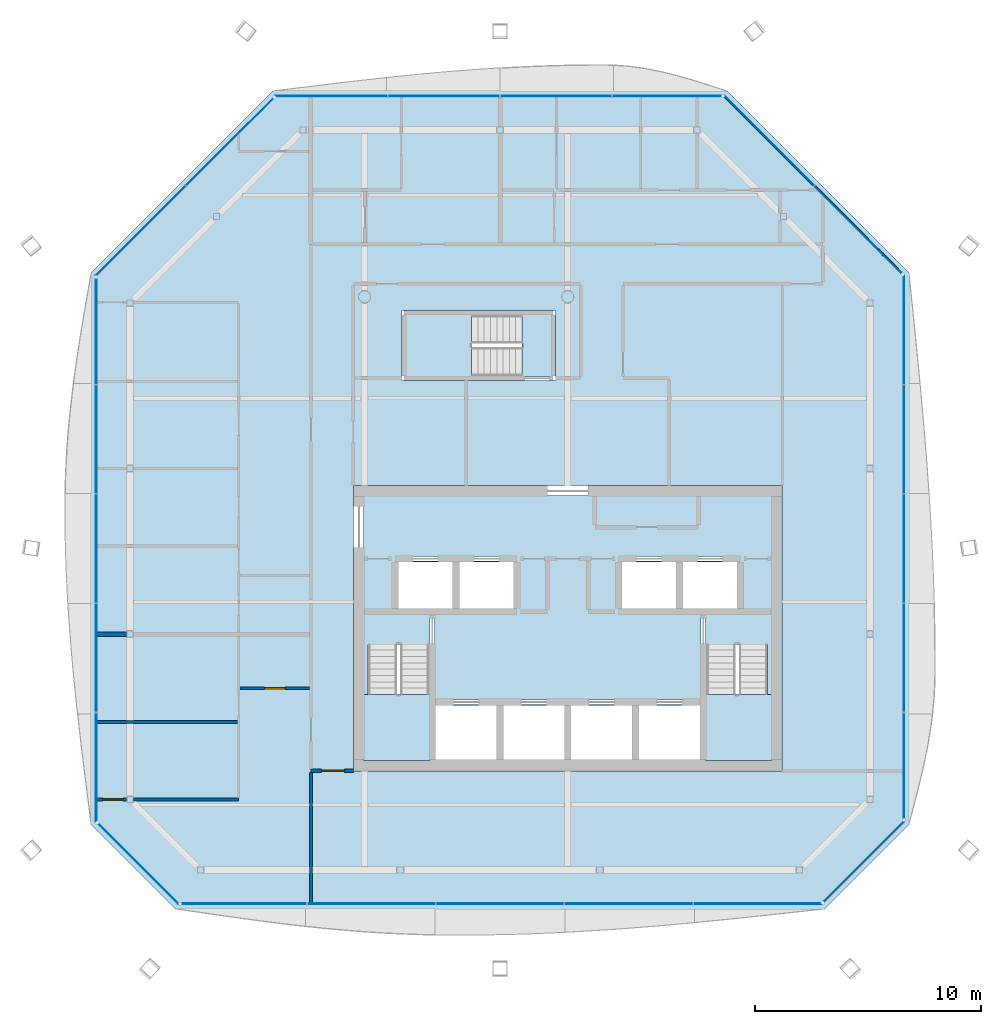
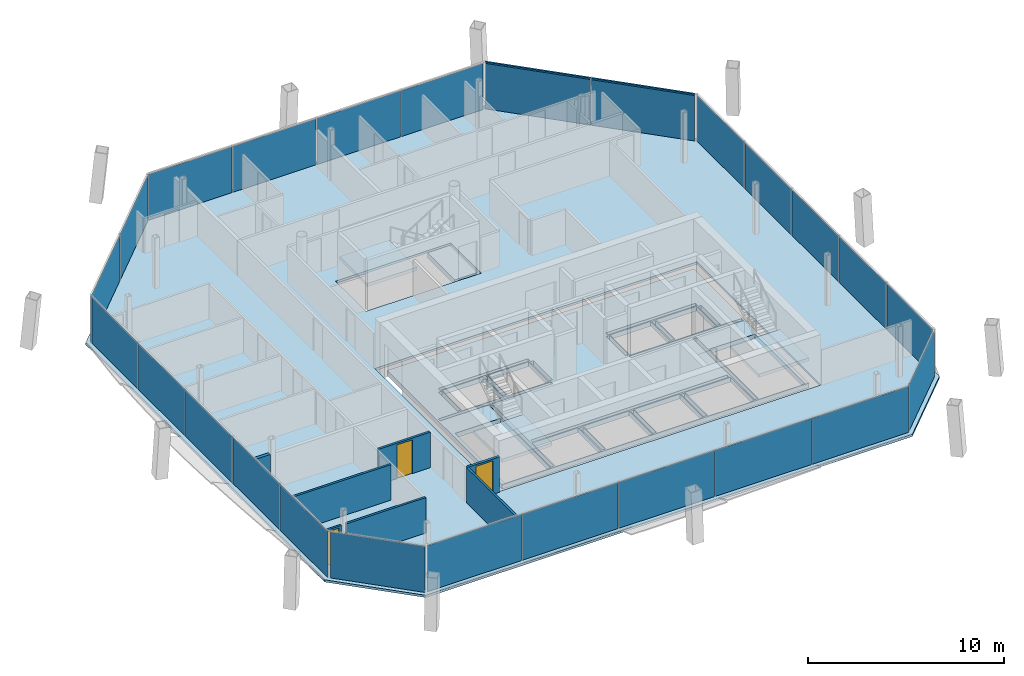
# One storey, part 9 of 15: 25 plates, 7 walls, 6 slabs, 3 doors, 2 members, 3 openings, 11 elements without a shape of their own.
"""IFC4 building model written with IfcOpenShell, lengths in metres."""

from ifc_helpers import new_model, si_unit, direction, frame, frame_2d, origin, origin_2d, place, context, subcontext, project, spatial, polyline, rectangle, outline, extrude, material, layer, layer_set, material_profile, profile_set, type_object, element, fill, aggregate, save


model = new_model("IFC4")

# Units and contexts
model_context = context("Model", 3, precision=1e-05, world=origin(), true_north=direction((0.0, 1.0)))
body_context = subcontext(model_context, "Body", "Model", "MODEL_VIEW")
ifc_project = project(units=[si_unit("LENGTHUNIT", "METRE"), si_unit("AREAUNIT", "SQUARE_METRE"), si_unit("VOLUMEUNIT", "CUBIC_METRE"), si_unit("PLANEANGLEUNIT", "RADIAN"), si_unit("MASSUNIT", "GRAM", prefix="KILO")], contexts=[model_context])

# Site, building, storey
site_placement = place(None, origin())
site = spatial("IfcSite", under=ifc_project, at=site_placement, CompositionType="ELEMENT")
building_placement = place(site_placement, origin())
building = spatial("IfcBuilding", under=site, at=building_placement, Name="Tskaro Facet Tower", CompositionType="ELEMENT")
storey_placement = place(building_placement, frame((0.0, 0.0, 239.25)))
storey = spatial("IfcBuildingStorey", under=building, at=storey_placement, Name="L62", CompositionType="ELEMENT", Elevation=239.25)

# Curtain wall, members
ifc_material_1 = material(Name="Bronze anodised aluminium 6063-T6", Category="aluminium")
curtain_wall_type = type_object("IfcCurtainWallType", Name="Bronze residence curtain wall (FW3)", PredefinedType="NOTDEFINED", material=ifc_material_1)
curtain_wall_1_placement = place(storey_placement, origin())
curtain_wall_1 = element("IfcCurtainWall", 1, at=curtain_wall_1_placement, inside=storey, type_object=curtain_wall_type, Name="FW3 north-east facet L62", PredefinedType="NOTDEFINED")
ifc_material_profile = material_profile(ifc_material_1, rectangle(XDim=0.10009765625, YDim=0.090087890625, at=origin_2d()), Name="Transom 100x90")
ifc_profile_set = profile_set([ifc_material_profile], Name="Bronze anodised aluminium 6063-T6")
member_type = type_object("IfcMemberType", Name="FW3 bronze transom 100x90", PredefinedType="USERDEFINED", material=ifc_profile_set)
member_1_placement = place(storey_placement, frame((14.7900390625, 10.046875, 2.905029296875), z_axis=(-0.70708438348, 0.707129178183, 0.0), x_axis=(-0.707129178183, -0.70708438348, 0.0)))
member_1 = element("IfcMember", 2, at=member_1_placement, type_object=member_type, Name="FW3 north-east transom 1.1", ObjectType="TRANSOM", PredefinedType="USERDEFINED", context=body_context, shape_type="SweptSolid", body=[
    extrude(rectangle(XDim=0.10009765625, YDim=0.090087890625, at=origin_2d()), origin(), (0.0, 0.0, 1.0), 5.4501953125),
])
member_2_placement = place(storey_placement, frame((10.90087890625, 13.936279296875, 2.905029296875), z_axis=(-0.707128617938, 0.70708494376, 0.0), x_axis=(-0.70708494376, -0.707128617938, 0.0)))
member_2 = element("IfcMember", 3, at=member_2_placement, type_object=member_type, Name="FW3 north-east transom 2.1", ObjectType="TRANSOM", PredefinedType="USERDEFINED", context=body_context, shape_type="SweptSolid", body=[
    extrude(rectangle(XDim=0.10009765625, YDim=0.090087890625, at=origin_2d()), origin(), (0.0, 0.0, 1.0), 5.590087890625),
])

# Slab
ifc_material_2 = material(Name="Concrete C30/37", Category="concrete")
ifc_layer_1 = layer(ifc_material_2, 0.139892578125, Name="Concrete C30/37")
ifc_layer_set_1 = layer_set([ifc_layer_1], Name="Concrete C30/37")
slab_type_1 = type_object("IfcSlabType", Name="Composite deck floor slab", PredefinedType="FLOOR", material=ifc_layer_set_1)
slab_1_placement = place(storey_placement, frame((0.0, 0.0, -0.139892578125)))
element("IfcSlab", 4, at=slab_1_placement, inside=storey, type_object=slab_type_1, Name="Floor slab FS3 L62", PredefinedType="FLOOR", context=body_context, shape_type="SweptSolid", body=[
    extrude(outline(polyline([(-17.35693359375, -18.138916015625), (11.35693359375, -18.138916015625), (15.138916015625, -14.35693359375), (15.138916015625, 10.052001953125), (7.052001953125, 18.138916015625), (-13.052001953125, 18.138916015625), (-21.138916015625, 10.052001953125), (-21.138916015625, -14.35693359375), (-17.35693359375, -18.138916015625)]), holes=[polyline([(-9.5, -12.0), (9.5, -12.0), (9.5, 0.64990234375), (-9.5, 0.64990234375), (-9.5, -12.0)]), polyline([(-7.35009765625, 5.300048828125), (-0.550048828125, 5.300048828125), (-0.550048828125, 8.39990234375), (-7.35009765625, 8.39990234375), (-7.35009765625, 5.300048828125)])]), origin(), (0.0, 0.0, 1.0), 0.139892578125),
])

# Curtain wall, plates
curtain_wall_2_placement = place(storey_placement, origin())
curtain_wall_2 = element("IfcCurtainWall", 5, at=curtain_wall_2_placement, inside=storey, type_object=curtain_wall_type, Name="FW3 south facet L62", PredefinedType="NOTDEFINED")
ifc_material_3 = material(Name="Bronze low-iron glass", Category="glass")
ifc_layer_2 = layer(ifc_material_3, 0.028076171875, Name="Bronze low-iron glass")
ifc_layer_set_2 = layer_set([ifc_layer_2], Name="Bronze low-iron glass")
plate_type = type_object("IfcPlateType", Name="FW3 bronze-tinted unit glazing 28", PredefinedType="CURTAIN_PANEL", material=ifc_layer_set_2)
plate_1_placement = place(storey_placement, frame((-14.344970703125, -17.888916015625, 0.0), z_axis=(0.0, 0.0, 1.0), x_axis=(1.0, 0.0, 0.0)))
plate_1 = element("IfcPlate", 6, at=plate_1_placement, type_object=plate_type, Name="FW3 south glazing 1.1", PredefinedType="CURTAIN_PANEL", context=body_context, shape_type="SweptSolid", body=[
    extrude(rectangle(XDim=5.5361328125, YDim=0.028076171875, at=origin_2d()), origin(), (0.0, 0.0, 1.0), 2.860107421875),
])
plate_2_placement = place(storey_placement, frame((-8.701171875, -17.888916015625, 0.0), z_axis=(0.0, 0.0, 1.0), x_axis=(1.0, 0.0, 0.0)))
plate_2 = element("IfcPlate", 7, at=plate_2_placement, type_object=plate_type, Name="FW3 south glazing 2.1", PredefinedType="CURTAIN_PANEL", context=body_context, shape_type="SweptSolid", body=[
    extrude(rectangle(XDim=5.651123046875, YDim=0.028076171875, at=origin_2d()), origin(), (0.0, 0.0, 1.0), 2.860107421875),
])
plate_3_placement = place(storey_placement, frame((-3.0, -17.888916015625, 0.0), z_axis=(0.0, 0.0, 1.0), x_axis=(1.0, 0.0, 0.0)))
plate_3 = element("IfcPlate", 8, at=plate_3_placement, type_object=plate_type, Name="FW3 south glazing 3.1", PredefinedType="CURTAIN_PANEL", context=body_context, shape_type="SweptSolid", body=[
    extrude(rectangle(XDim=5.651123046875, YDim=0.028076171875, at=origin_2d()), origin(), (0.0, 0.0, 1.0), 2.860107421875),
])
plate_4_placement = place(storey_placement, frame((2.701171875, -17.888916015625, 0.0), z_axis=(0.0, 0.0, 1.0), x_axis=(1.0, 0.0, 0.0)))
plate_4 = element("IfcPlate", 9, at=plate_4_placement, type_object=plate_type, Name="FW3 south glazing 4.1", PredefinedType="CURTAIN_PANEL", context=body_context, shape_type="SweptSolid", body=[
    extrude(rectangle(XDim=5.651123046875, YDim=0.028076171875, at=origin_2d()), origin(), (0.0, 0.0, 1.0), 2.860107421875),
])
plate_5_placement = place(storey_placement, frame((8.414794921875, -17.888916015625, 0.0), z_axis=(0.0, 0.0, 1.0), x_axis=(1.0, 0.0, 0.0)))
plate_5 = element("IfcPlate", 10, at=plate_5_placement, type_object=plate_type, Name="FW3 south glazing 5.1", PredefinedType="CURTAIN_PANEL", context=body_context, shape_type="SweptSolid", body=[
    extrude(rectangle(XDim=5.67626953125, YDim=0.028076171875, at=origin_2d()), origin(), (0.0, 0.0, 1.0), 2.860107421875),
])
aggregate(curtain_wall_2, [plate_1, plate_2, plate_3, plate_4, plate_5])

# Curtain wall, plate
curtain_wall_3_placement = place(storey_placement, origin())
curtain_wall_3 = element("IfcCurtainWall", 11, at=curtain_wall_3_placement, inside=storey, type_object=curtain_wall_type, Name="FW3 south-east facet L62", PredefinedType="NOTDEFINED")
plate_6_placement = place(storey_placement, frame((13.12060546875, -16.021484375, 0.0), z_axis=(0.0, 0.0, 1.0), x_axis=(0.707106781187, 0.707106781187, 0.0)))
plate_6 = element("IfcPlate", 12, at=plate_6_placement, type_object=plate_type, Name="FW3 south-east glazing 1.1", PredefinedType="CURTAIN_PANEL", context=body_context, shape_type="SweptSolid", body=[
    extrude(rectangle(XDim=5.002197265625, YDim=0.028076171875, at=origin_2d()), origin(), (0.0, 0.0, 1.0), 2.860107421875),
])
aggregate(curtain_wall_3, [plate_6])

# Curtain wall, plates
curtain_wall_4_placement = place(storey_placement, origin())
curtain_wall_4 = element("IfcCurtainWall", 13, at=curtain_wall_4_placement, inside=storey, type_object=curtain_wall_type, Name="FW3 east facet L62", PredefinedType="NOTDEFINED")
plate_7_placement = place(storey_placement, frame((14.888916015625, -11.775390625, 0.0), z_axis=(0.0, 0.0, 1.0), x_axis=(0.0, 1.0, 0.0)))
plate_7 = element("IfcPlate", 14, at=plate_7_placement, type_object=plate_type, Name="FW3 east glazing 1.1", PredefinedType="CURTAIN_PANEL", context=body_context, shape_type="SweptSolid", body=[
    extrude(rectangle(XDim=4.67529296875, YDim=0.028076171875, at=origin_2d()), origin(), (0.0, 0.0, 1.0), 2.860107421875),
])
plate_8_placement = place(storey_placement, frame((14.888916015625, -6.99267578125, 0.0), z_axis=(0.0, 0.0, 1.0), x_axis=(0.0, 1.0, 0.0)))
plate_8 = element("IfcPlate", 15, at=plate_8_placement, type_object=plate_type, Name="FW3 east glazing 2.1", PredefinedType="CURTAIN_PANEL", context=body_context, shape_type="SweptSolid", body=[
    extrude(rectangle(XDim=4.790283203125, YDim=0.028076171875, at=origin_2d()), origin(), (0.0, 0.0, 1.0), 2.860107421875),
])
plate_9_placement = place(storey_placement, frame((14.888916015625, -2.152587890625, 0.0), z_axis=(0.0, 0.0, 1.0), x_axis=(0.0, 1.0, 0.0)))
plate_9 = element("IfcPlate", 16, at=plate_9_placement, type_object=plate_type, Name="FW3 east glazing 3.1", PredefinedType="CURTAIN_PANEL", context=body_context, shape_type="SweptSolid", body=[
    extrude(rectangle(XDim=4.790283203125, YDim=0.028076171875, at=origin_2d()), origin(), (0.0, 0.0, 1.0), 2.860107421875),
])
plate_10_placement = place(storey_placement, frame((14.888916015625, 2.687744140625, 0.0), z_axis=(0.0, 0.0, 1.0), x_axis=(0.0, 1.0, 0.0)))
plate_10 = element("IfcPlate", 17, at=plate_10_placement, type_object=plate_type, Name="FW3 east glazing 4.1", PredefinedType="CURTAIN_PANEL", context=body_context, shape_type="SweptSolid", body=[
    extrude(rectangle(XDim=4.790283203125, YDim=0.028076171875, at=origin_2d()), origin(), (0.0, 0.0, 1.0), 2.860107421875),
])
plate_11_placement = place(storey_placement, frame((14.888916015625, 7.540283203125, 0.0), z_axis=(0.0, 0.0, 1.0), x_axis=(0.0, 1.0, 0.0)))
plate_11 = element("IfcPlate", 18, at=plate_11_placement, type_object=plate_type, Name="FW3 east glazing 5.1", PredefinedType="CURTAIN_PANEL", context=body_context, shape_type="SweptSolid", body=[
    extrude(rectangle(XDim=4.815185546875, YDim=0.028076171875, at=origin_2d()), origin(), (0.0, 0.0, 1.0), 2.860107421875),
])
aggregate(curtain_wall_4, [plate_7, plate_8, plate_9, plate_10, plate_11])

# Plate
plate_12_placement = place(storey_placement, frame((12.863037109375, 11.973876953125, 0.0), z_axis=(0.0, 0.0, 1.0), x_axis=(-0.707106781187, 0.707106781187, 0.0)))
plate_12 = element("IfcPlate", 19, at=plate_12_placement, type_object=plate_type, Name="FW3 north-east glazing 1.1", PredefinedType="CURTAIN_PANEL", context=body_context, shape_type="SweptSolid", body=[
    extrude(rectangle(XDim=5.4501953125, YDim=0.028076171875, at=origin_2d()), origin(), (0.0, 0.0, 1.0), 2.860107421875),
])

plate_13_placement = place(storey_placement, frame((8.92431640625, 15.91259765625, 0.0), z_axis=(0.0, 0.0, 1.0), x_axis=(-0.707106781187, 0.707106781187, 0.0)))
plate_13 = element("IfcPlate", 20, at=plate_13_placement, type_object=plate_type, Name="FW3 north-east glazing 2.1", PredefinedType="CURTAIN_PANEL", context=body_context, shape_type="SweptSolid", body=[
    extrude(rectangle(XDim=5.590087890625, YDim=0.028076171875, at=origin_2d()), origin(), (0.0, 0.0, 1.0), 2.860107421875),
])

aggregate(curtain_wall_1, [member_1, plate_12, member_2, plate_13])

# Curtain wall, plates
curtain_wall_5_placement = place(storey_placement, origin())
curtain_wall_5 = element("IfcCurtainWall", 21, at=curtain_wall_5_placement, inside=storey, type_object=curtain_wall_type, Name="FW3 north facet L62", PredefinedType="NOTDEFINED")
plate_14_placement = place(storey_placement, frame((4.403564453125, 17.888916015625, 0.0), z_axis=(0.0, 0.0, 1.0), x_axis=(-1.0, 0.0, 0.0)))
plate_14 = element("IfcPlate", 22, at=plate_14_placement, type_object=plate_type, Name="FW3 north glazing 1.1", PredefinedType="CURTAIN_PANEL", context=body_context, shape_type="SweptSolid", body=[
    extrude(rectangle(XDim=4.80908203125, YDim=0.028076171875, at=origin_2d()), origin(), (0.0, 0.0, 1.0), 2.860107421875),
])
plate_15_placement = place(storey_placement, frame((-0.512939453125, 17.888916015625, 0.0), z_axis=(0.0, 0.0, 1.0), x_axis=(-1.0, 0.0, 0.0)))
plate_15 = element("IfcPlate", 23, at=plate_15_placement, type_object=plate_type, Name="FW3 north glazing 2.1", PredefinedType="CURTAIN_PANEL", context=body_context, shape_type="SweptSolid", body=[
    extrude(rectangle(XDim=4.924072265625, YDim=0.028076171875, at=origin_2d()), origin(), (0.0, 0.0, 1.0), 2.860107421875),
])
plate_16_placement = place(storey_placement, frame((-5.487060546875, 17.888916015625, 0.0), z_axis=(0.0, 0.0, 1.0), x_axis=(-1.0, 0.0, 0.0)))
plate_16 = element("IfcPlate", 24, at=plate_16_placement, type_object=plate_type, Name="FW3 north glazing 3.1", PredefinedType="CURTAIN_PANEL", context=body_context, shape_type="SweptSolid", body=[
    extrude(rectangle(XDim=4.924072265625, YDim=0.028076171875, at=origin_2d()), origin(), (0.0, 0.0, 1.0), 2.860107421875),
])
plate_17_placement = place(storey_placement, frame((-10.473388671875, 17.888916015625, 0.0), z_axis=(0.0, 0.0, 1.0), x_axis=(-1.0, 0.0, 0.0)))
plate_17 = element("IfcPlate", 25, at=plate_17_placement, type_object=plate_type, Name="FW3 north glazing 4.1", PredefinedType="CURTAIN_PANEL", context=body_context, shape_type="SweptSolid", body=[
    extrude(rectangle(XDim=4.948974609375, YDim=0.028076171875, at=origin_2d()), origin(), (0.0, 0.0, 1.0), 2.860107421875),
])
aggregate(curtain_wall_5, [plate_14, plate_15, plate_16, plate_17])

curtain_wall_6_placement = place(storey_placement, origin())
curtain_wall_6 = element("IfcCurtainWall", 26, at=curtain_wall_6_placement, inside=storey, type_object=curtain_wall_type, Name="FW3 north-west facet L62", PredefinedType="NOTDEFINED")
plate_18_placement = place(storey_placement, frame((-14.973876953125, 15.863037109375, 0.0), z_axis=(0.0, 0.0, 1.0), x_axis=(-0.707106781187, -0.707106781187, 0.0)))
plate_18 = element("IfcPlate", 27, at=plate_18_placement, type_object=plate_type, Name="FW3 north-west glazing 1.1", PredefinedType="CURTAIN_PANEL", context=body_context, shape_type="SweptSolid", body=[
    extrude(rectangle(XDim=5.4501953125, YDim=0.028076171875, at=origin_2d()), origin(), (0.0, 0.0, 1.0), 2.860107421875),
])
plate_19_placement = place(storey_placement, frame((-18.91259765625, 11.92431640625, 0.0), z_axis=(0.0, 0.0, 1.0), x_axis=(-0.707106781187, -0.707106781187, 0.0)))
plate_19 = element("IfcPlate", 28, at=plate_19_placement, type_object=plate_type, Name="FW3 north-west glazing 2.1", PredefinedType="CURTAIN_PANEL", context=body_context, shape_type="SweptSolid", body=[
    extrude(rectangle(XDim=5.590087890625, YDim=0.028076171875, at=origin_2d()), origin(), (0.0, 0.0, 1.0), 2.860107421875),
])
aggregate(curtain_wall_6, [plate_18, plate_19])

curtain_wall_7_placement = place(storey_placement, origin())
curtain_wall_7 = element("IfcCurtainWall", 29, at=curtain_wall_7_placement, inside=storey, type_object=curtain_wall_type, Name="FW3 west facet L62", PredefinedType="NOTDEFINED")
plate_20_placement = place(storey_placement, frame((-20.888916015625, 7.470458984375, 0.0), z_axis=(0.0, 0.0, 1.0), x_axis=(0.0, -1.0, 0.0)))
plate_20 = element("IfcPlate", 30, at=plate_20_placement, type_object=plate_type, Name="FW3 west glazing 1.1", PredefinedType="CURTAIN_PANEL", context=body_context, shape_type="SweptSolid", body=[
    extrude(rectangle(XDim=4.67529296875, YDim=0.028076171875, at=origin_2d()), origin(), (0.0, 0.0, 1.0), 2.860107421875),
])
plate_21_placement = place(storey_placement, frame((-20.888916015625, 2.687744140625, 0.0), z_axis=(0.0, 0.0, 1.0), x_axis=(0.0, -1.0, 0.0)))
plate_21 = element("IfcPlate", 31, at=plate_21_placement, type_object=plate_type, Name="FW3 west glazing 2.1", PredefinedType="CURTAIN_PANEL", context=body_context, shape_type="SweptSolid", body=[
    extrude(rectangle(XDim=4.790283203125, YDim=0.028076171875, at=origin_2d()), origin(), (0.0, 0.0, 1.0), 2.860107421875),
])
plate_22_placement = place(storey_placement, frame((-20.888916015625, -2.152587890625, 0.0), z_axis=(0.0, 0.0, 1.0), x_axis=(0.0, -1.0, 0.0)))
plate_22 = element("IfcPlate", 32, at=plate_22_placement, type_object=plate_type, Name="FW3 west glazing 3.1", PredefinedType="CURTAIN_PANEL", context=body_context, shape_type="SweptSolid", body=[
    extrude(rectangle(XDim=4.790283203125, YDim=0.028076171875, at=origin_2d()), origin(), (0.0, 0.0, 1.0), 2.860107421875),
])
plate_23_placement = place(storey_placement, frame((-20.888916015625, -6.99267578125, 0.0), z_axis=(0.0, 0.0, 1.0), x_axis=(0.0, -1.0, 0.0)))
plate_23 = element("IfcPlate", 33, at=plate_23_placement, type_object=plate_type, Name="FW3 west glazing 4.1", PredefinedType="CURTAIN_PANEL", context=body_context, shape_type="SweptSolid", body=[
    extrude(rectangle(XDim=4.790283203125, YDim=0.028076171875, at=origin_2d()), origin(), (0.0, 0.0, 1.0), 2.860107421875),
])
plate_24_placement = place(storey_placement, frame((-20.888916015625, -11.845458984375, 0.0), z_axis=(0.0, 0.0, 1.0), x_axis=(0.0, -1.0, 0.0)))
plate_24 = element("IfcPlate", 34, at=plate_24_placement, type_object=plate_type, Name="FW3 west glazing 5.1", PredefinedType="CURTAIN_PANEL", context=body_context, shape_type="SweptSolid", body=[
    extrude(rectangle(XDim=4.815185546875, YDim=0.028076171875, at=origin_2d()), origin(), (0.0, 0.0, 1.0), 2.860107421875),
])
aggregate(curtain_wall_7, [plate_20, plate_21, plate_22, plate_23, plate_24])

# Curtain wall, plate
curtain_wall_8_placement = place(storey_placement, origin())
curtain_wall_8 = element("IfcCurtainWall", 35, at=curtain_wall_8_placement, inside=storey, type_object=curtain_wall_type, Name="FW3 south-west facet L62", PredefinedType="NOTDEFINED")
plate_25_placement = place(storey_placement, frame((-19.021484375, -16.12060546875, 0.0), z_axis=(0.0, 0.0, 1.0), x_axis=(0.707106781187, -0.707106781187, 0.0)))
plate_25 = element("IfcPlate", 36, at=plate_25_placement, type_object=plate_type, Name="FW3 south-west glazing 1.1", PredefinedType="CURTAIN_PANEL", context=body_context, shape_type="SweptSolid", body=[
    extrude(rectangle(XDim=5.002197265625, YDim=0.028076171875, at=origin_2d()), origin(), (0.0, 0.0, 1.0), 2.860107421875),
])
aggregate(curtain_wall_8, [plate_25])

# Stair, slab
ifc_material_4 = material(Name="Concrete C40/50", Category="concrete")
stair_type = type_object("IfcStairType", Name="ST-TWR", PredefinedType="HALF_TURN_STAIR", material=ifc_material_4)
stair_1_placement = place(storey_placement, origin())
stair_1 = element("IfcStair", 37, at=stair_1_placement, inside=storey, type_object=stair_type, Name="L62 Exit stair 1", PredefinedType="HALF_TURN_STAIR")
ifc_layer_3 = layer(ifc_material_4, 0.199951171875, Name="Concrete C40/50")
ifc_layer_set_3 = layer_set([ifc_layer_3], Name="Concrete C40/50")
slab_type_2 = type_object("IfcSlabType", Name="SL-LANDING", PredefinedType="LANDING", material=ifc_layer_set_3)
slab_2_placement = place(storey_placement, frame((0.0, 0.0, 1.375)))
slab_2 = element("IfcSlab", 38, at=slab_2_placement, type_object=slab_type_2, Name="ST-1 landing 1", PredefinedType="LANDING", context=body_context, shape_type="SweptSolid", body=[
    extrude(outline(polyline([(-9.050048828125, -11.550048828125), (-6.10009765625, -11.550048828125), (-6.10009765625, -8.614990234375), (-9.050048828125, -8.614990234375), (-9.050048828125, -11.550048828125)])), origin(), (0.0, 0.0, 1.0), 0.199951171875),
])
aggregate(stair_1, [slab_2])

stair_2_placement = place(storey_placement, origin())
stair_2 = element("IfcStair", 39, at=stair_2_placement, inside=storey, type_object=stair_type, Name="L62 Exit stair 2", PredefinedType="HALF_TURN_STAIR")
slab_3_placement = place(storey_placement, frame((0.0, 0.0, 1.375)))
slab_3 = element("IfcSlab", 40, at=slab_3_placement, type_object=slab_type_2, Name="ST-2 landing 1", PredefinedType="LANDING", context=body_context, shape_type="SweptSolid", body=[
    extrude(outline(polyline([(6.10009765625, -11.550048828125), (9.050048828125, -11.550048828125), (9.050048828125, -8.614990234375), (6.10009765625, -8.614990234375), (6.10009765625, -11.550048828125)])), origin(), (0.0, 0.0, 1.0), 0.199951171875),
])
aggregate(stair_2, [slab_3])

stair_3_placement = place(storey_placement, origin())
stair_3 = element("IfcStair", 41, at=stair_3_placement, inside=storey, type_object=stair_type, Name="L62 Exit stair 3", PredefinedType="HALF_TURN_STAIR")
slab_4_placement = place(storey_placement, frame((0.0, 0.0, 1.375)))
slab_4 = element("IfcSlab", 42, at=slab_4_placement, type_object=slab_type_2, Name="ST-3 landing 1", PredefinedType="LANDING", context=body_context, shape_type="SweptSolid", body=[
    extrude(outline(polyline([(-7.199951171875, 5.449951171875), (-4.264892578125, 5.449951171875), (-4.264892578125, 8.25), (-7.199951171875, 8.25), (-7.199951171875, 5.449951171875)])), origin(), (0.0, 0.0, 1.0), 0.199951171875),
])
aggregate(stair_3, [slab_4])

# Slabs
ifc_material_5 = material(Name="Concrete C60/75", Category="concrete")
ifc_layer_4 = layer(ifc_material_5, 0.300048828125, Name="Concrete C60/75")
ifc_layer_set_4 = layer_set([ifc_layer_4], Name="Concrete C60/75")
slab_type_3 = type_object("IfcSlabType", Name="SLAB-CORE", PredefinedType="FLOOR", material=ifc_layer_set_4)
slab_5_placement = place(storey_placement, frame((0.0, 0.0, -0.300048828125)))
element("IfcSlab", 43, at=slab_5_placement, inside=storey, type_object=slab_type_3, Name="Core floor slab 1", PredefinedType="FLOOR", context=body_context, shape_type="SweptSolid", body=[
    extrude(outline(polyline([(-9.050048828125, 0.199951171875), (9.050048828125, 0.199951171875), (9.050048828125, 0.10009765625), (9.050048828125, -11.449951171875), (9.050048828125, -11.550048828125), (-9.050048828125, -11.550048828125), (-9.050048828125, -11.449951171875), (-9.050048828125, 0.10009765625), (-9.050048828125, 0.199951171875)]), holes=[polyline([(-5.85009765625, -9.10009765625), (-5.85009765625, -11.5), (-3.14990234375, -11.5), (-3.14990234375, -9.10009765625), (-5.85009765625, -9.10009765625)]), polyline([(-3.10009765625, -11.449951171875), (-2.89990234375, -11.449951171875), (-2.89990234375, -9.14990234375), (-3.10009765625, -9.14990234375), (-3.10009765625, -11.449951171875)]), polyline([(-2.85009765625, -9.10009765625), (-2.85009765625, -11.5), (-0.14990234375, -11.5), (-0.14990234375, -9.10009765625), (-2.85009765625, -9.10009765625)]), polyline([(-6.10009765625, -11.449951171875), (-5.89990234375, -11.449951171875), (-5.89990234375, -5.14990234375), (-6.10009765625, -5.14990234375), (-6.10009765625, -11.449951171875)]), polyline([(-8.949951171875, -5.050048828125), (-2.300048828125, -5.050048828125), (-2.300048828125, -4.85009765625), (-8.949951171875, -4.85009765625), (-8.949951171875, -5.050048828125)]), polyline([(-7.75, -4.75), (-7.550048828125, -4.75), (-7.550048828125, -2.800048828125), (-7.75, -2.800048828125), (-7.75, -4.75)]), polyline([(-7.5, -2.75), (-7.5, -4.800048828125), (-5.10009765625, -4.800048828125), (-5.10009765625, -2.75), (-7.5, -2.75)]), polyline([(-5.050048828125, -4.75), (-4.85009765625, -4.75), (-4.85009765625, -2.800048828125), (-5.050048828125, -2.800048828125), (-5.050048828125, -4.75)]), polyline([(-2.39990234375, -2.75), (-4.800048828125, -2.75), (-4.800048828125, -4.800048828125), (-2.39990234375, -4.800048828125), (-2.39990234375, -2.75)]), polyline([(-2.35009765625, -4.75), (-2.14990234375, -4.75), (-2.14990234375, -2.800048828125), (-2.35009765625, -2.800048828125), (-2.35009765625, -4.75)]), polyline([(-7.60009765625, -2.699951171875), (-2.300048828125, -2.699951171875), (-2.300048828125, -2.5), (-7.60009765625, -2.5), (-7.60009765625, -2.699951171875)]), polyline([(-0.10009765625, -11.449951171875), (0.10009765625, -11.449951171875), (0.10009765625, -9.14990234375), (-0.10009765625, -9.14990234375), (-0.10009765625, -11.449951171875)]), polyline([(0.14990234375, -9.10009765625), (0.14990234375, -11.5), (2.85009765625, -11.5), (2.85009765625, -9.10009765625), (0.14990234375, -9.10009765625)]), polyline([(2.89990234375, -11.449951171875), (3.10009765625, -11.449951171875), (3.10009765625, -9.14990234375), (2.89990234375, -9.14990234375), (2.89990234375, -11.449951171875)]), polyline([(3.14990234375, -9.10009765625), (3.14990234375, -11.5), (5.85009765625, -11.5), (5.85009765625, -9.10009765625), (3.14990234375, -9.10009765625)]), polyline([(-5.800048828125, -9.050048828125), (5.800048828125, -9.050048828125), (5.800048828125, -8.85009765625), (-5.800048828125, -8.85009765625), (-5.800048828125, -9.050048828125)]), polyline([(5.89990234375, -11.449951171875), (6.10009765625, -11.449951171875), (6.10009765625, -5.14990234375), (5.89990234375, -5.14990234375), (5.89990234375, -11.449951171875)]), polyline([(2.300048828125, -5.050048828125), (8.949951171875, -5.050048828125), (8.949951171875, -4.85009765625), (2.300048828125, -4.85009765625), (2.300048828125, -5.050048828125)]), polyline([(2.14990234375, -4.75), (2.35009765625, -4.75), (2.35009765625, -2.800048828125), (2.14990234375, -2.800048828125), (2.14990234375, -4.75)]), polyline([(2.39990234375, -4.800048828125), (4.800048828125, -4.800048828125), (4.800048828125, -2.75), (2.39990234375, -2.75), (2.39990234375, -4.800048828125)]), polyline([(4.85009765625, -4.75), (5.050048828125, -4.75), (5.050048828125, -2.800048828125), (4.85009765625, -2.800048828125), (4.85009765625, -4.75)]), polyline([(5.10009765625, -4.800048828125), (7.5, -4.800048828125), (7.5, -2.75), (5.10009765625, -2.75), (5.10009765625, -4.800048828125)]), polyline([(7.550048828125, -4.75), (7.75, -4.75), (7.75, -2.800048828125), (7.550048828125, -2.800048828125), (7.550048828125, -4.75)]), polyline([(2.300048828125, -2.699951171875), (7.60009765625, -2.699951171875), (7.60009765625, -2.5), (2.300048828125, -2.5), (2.300048828125, -2.699951171875)]), polyline([(-8.85009765625, -11.5), (-6.14990234375, -11.5), (-6.14990234375, -6.39501953125), (-8.85009765625, -6.39501953125), (-8.85009765625, -11.5)]), polyline([(6.14990234375, -6.39501953125), (6.14990234375, -11.5), (8.85009765625, -11.5), (8.85009765625, -6.39501953125), (6.14990234375, -6.39501953125)])]), origin(), (0.0, 0.0, 1.0), 0.300048828125),
])
slab_6_placement = place(storey_placement, frame((0.0, 0.0, -0.300048828125)))
element("IfcSlab", 44, at=slab_6_placement, inside=storey, type_object=slab_type_3, Name="Stair 3 floor landing 1", PredefinedType="FLOOR", context=body_context, shape_type="SweptSolid", body=[
    extrude(outline(polyline([(-2.02490234375, 5.449951171875), (-0.699951171875, 5.449951171875), (-0.699951171875, 8.25), (-2.02490234375, 8.25), (-2.02490234375, 5.449951171875)])), origin(), (0.0, 0.0, 1.0), 0.300048828125),
])

# Wall, opening, door
ifc_material_6 = material(Name="Gypsum board on steel studs", Category="steel")
ifc_layer_5 = layer(ifc_material_6, 0.125, Name="Gypsum board on steel studs")
ifc_layer_set_5 = layer_set([ifc_layer_5], Name="Gypsum board on steel studs")
wall_type_1 = type_object("IfcWallType", Name="PART", PredefinedType="PARTITIONING", material=ifc_layer_set_5)
wall_1_placement = place(storey_placement, frame((-20.839111328125, -13.27001953125, 0.0), z_axis=(0.0, 0.0, 1.0), x_axis=(1.0, 0.0, 0.0)))
wall_1 = element("IfcWall", 45, at=wall_1_placement, inside=storey, type_object=wall_type_1, Name="Partition W001", PredefinedType="PARTITIONING", context=body_context, shape_type="SweptSolid", body=[
    extrude(rectangle(XDim=1.298095703125, YDim=0.125, at=frame_2d((0.64892578125, 0.0))), origin(), (0.0, 0.0, 1.0), 2.2099609375),
])
opening_1_placement = place(wall_1_placement, frame((0.248046875, 0.0, 0.0)))
opening_1 = element("IfcOpeningElement", 46, at=opening_1_placement, cuts=wall_1, Name="Opening T18-D01", PredefinedType="OPENING", context=body_context, shape_type="SweptSolid", body=[
    extrude(rectangle(XDim=0.89990234375, YDim=2.10009765625, at=frame_2d((0.449951171875, 1.050048828125))), frame((0.0, 0.072509765625, 0.0), z_axis=(0.0, -1.0, 0.0), x_axis=(1.0, 0.0, 0.0)), (0.0, 0.0, 1.0), 0.14501953125),
])
ifc_material_7 = material(Name="Timber", Category="wood")
door_type_1 = type_object("IfcDoorType", Name="D-ROOM", OperationType="NOTDEFINED", PredefinedType="DOOR", material=ifc_material_7)
door_1_placement = place(opening_1_placement, origin())
door_1 = element("IfcDoor", 47, at=door_1_placement, inside=storey, type_object=door_type_1, Name="Door T18-D01", OperationType="SINGLE_SWING_LEFT", OverallHeight=2.10009765625, OverallWidth=0.89990234375, PredefinedType="DOOR", context=body_context, shape_type="SweptSolid", body=[
    extrude(rectangle(XDim=0.89990234375, YDim=2.10009765625, at=frame_2d((0.449951171875, 1.050048828125))), frame((0.0, 0.02490234375, 0.0), z_axis=(0.0, -1.0, 0.0), x_axis=(1.0, 0.0, 0.0)), (0.0, 0.0, 1.0), 0.050048828125),
])
fill(opening_1, door_1)

# Walls
wall_2_placement = place(storey_placement, frame((-19.240966796875, -13.27001953125, 0.0), z_axis=(0.0, 0.0, 1.0), x_axis=(1.0, 0.0, 0.0)))
element("IfcWall", 48, at=wall_2_placement, inside=storey, type_object=wall_type_1, Name="Partition W002", PredefinedType="PARTITIONING", context=body_context, shape_type="SweptSolid", body=[
    extrude(rectangle(XDim=4.666015625, YDim=0.125, at=frame_2d((2.3330078125, 0.0))), origin(), (0.0, 0.0, 1.0), 2.2099609375),
])
wall_3_placement = place(storey_placement, frame((-20.839111328125, -9.840087890625, 0.0), z_axis=(0.0, 0.0, 1.0), x_axis=(1.0, 0.0, 0.0)))
element("IfcWall", 49, at=wall_3_placement, inside=storey, type_object=wall_type_1, Name="Partition W005", PredefinedType="PARTITIONING", context=body_context, shape_type="SweptSolid", body=[
    extrude(rectangle(XDim=6.20166015625, YDim=0.125, at=frame_2d((3.100830078125, 0.0))), origin(), (0.0, 0.0, 1.0), 2.2099609375),
])

# Wall, opening, door
wall_4_placement = place(storey_placement, frame((-14.512451171875, -8.340087890625, 0.0), z_axis=(0.0, 0.0, 1.0), x_axis=(1.0, 0.0, 0.0)))
wall_4 = element("IfcWall", 50, at=wall_4_placement, inside=storey, type_object=wall_type_1, Name="Partition W007", PredefinedType="PARTITIONING", context=body_context, shape_type="SweptSolid", body=[
    extrude(rectangle(XDim=3.0625, YDim=0.125, at=frame_2d((1.53125, 0.0))), origin(), (0.0, 0.0, 1.0), 2.2099609375),
])
opening_2_placement = place(wall_4_placement, frame((1.08740234375, 0.0, 0.0)))
opening_2 = element("IfcOpeningElement", 51, at=opening_2_placement, cuts=wall_4, Name="Opening T18-D05", PredefinedType="OPENING", context=body_context, shape_type="SweptSolid", body=[
    extrude(rectangle(XDim=0.89990234375, YDim=2.10009765625, at=frame_2d((0.449951171875, 1.050048828125))), frame((0.0, 0.072509765625, 0.0), z_axis=(0.0, -1.0, 0.0), x_axis=(1.0, 0.0, 0.0)), (0.0, 0.0, 1.0), 0.14501953125),
])
door_2_placement = place(opening_2_placement, origin())
door_2 = element("IfcDoor", 52, at=door_2_placement, inside=storey, type_object=door_type_1, Name="Door T18-D05", OperationType="SINGLE_SWING_LEFT", OverallHeight=2.10009765625, OverallWidth=0.89990234375, PredefinedType="DOOR", context=body_context, shape_type="SweptSolid", body=[
    extrude(rectangle(XDim=0.89990234375, YDim=2.10009765625, at=frame_2d((0.449951171875, 1.050048828125))), frame((0.0, 0.02490234375, 0.0), z_axis=(0.0, -1.0, 0.0), x_axis=(1.0, 0.0, 0.0)), (0.0, 0.0, 1.0), 0.050048828125),
])
fill(opening_2, door_2)

# Wall
wall_5_placement = place(storey_placement, frame((-11.375, -17.839111328125, 0.0), z_axis=(0.0, 0.0, 1.0), x_axis=(0.0, 1.0, 0.0)))
element("IfcWall", 53, at=wall_5_placement, inside=storey, type_object=wall_type_1, Name="Partition W041", PredefinedType="PARTITIONING", context=body_context, shape_type="SweptSolid", body=[
    extrude(rectangle(XDim=5.76416015625, YDim=0.125, at=frame_2d((2.882080078125, 0.0))), origin(), (0.0, 0.0, 1.0), 2.2099609375),
])

# Wall, opening, door
ifc_layer_6 = layer(ifc_material_6, 0.14990234375, Name="Gypsum board on steel studs")
ifc_layer_set_6 = layer_set([ifc_layer_6], Name="Gypsum board on steel studs")
wall_type_2 = type_object("IfcWallType", Name="PART-CORR", PredefinedType="PARTITIONING", material=ifc_layer_set_6)
wall_6_placement = place(storey_placement, frame((-9.5, -12.0, 0.0), z_axis=(0.0, 0.0, 1.0), x_axis=(-1.0, 0.0, 0.0)))
wall_6 = element("IfcWall", 54, at=wall_6_placement, inside=storey, type_object=wall_type_2, Name="Corridor wall W003", PredefinedType="PARTITIONING", context=body_context, shape_type="SweptSolid", body=[
    extrude(rectangle(XDim=1.875, YDim=0.14990234375, at=frame_2d((0.9375, 0.0))), origin(), (0.0, 0.0, 1.0), 2.2099609375),
])
opening_3_placement = place(wall_6_placement, frame((0.39990234375, 0.0, 0.0)))
opening_3 = element("IfcOpeningElement", 55, at=opening_3_placement, cuts=wall_6, Name="Opening T18-D02", PredefinedType="OPENING", context=body_context, shape_type="SweptSolid", body=[
    extrude(rectangle(XDim=1.0, YDim=2.10009765625, at=frame_2d((0.5, 1.050048828125))), frame((0.0, 0.0849609375, 0.0), z_axis=(0.0, -1.0, 0.0), x_axis=(1.0, 0.0, 0.0)), (0.0, 0.0, 1.0), 0.169921875),
])
door_type_2 = type_object("IfcDoorType", Name="D-ROOM-WIDE", OperationType="NOTDEFINED", PredefinedType="DOOR", material=ifc_material_7)
door_3_placement = place(opening_3_placement, origin())
door_3 = element("IfcDoor", 56, at=door_3_placement, inside=storey, type_object=door_type_2, Name="Door T18-D02", OperationType="SINGLE_SWING_RIGHT", OverallHeight=2.10009765625, OverallWidth=1.0, PredefinedType="DOOR", context=body_context, shape_type="SweptSolid", body=[
    extrude(rectangle(XDim=1.0, YDim=2.10009765625, at=frame_2d((0.5, 1.050048828125))), frame((0.0, 0.02490234375, 0.0), z_axis=(0.0, -1.0, 0.0), x_axis=(1.0, 0.0, 0.0)), (0.0, 0.0, 1.0), 0.050048828125),
])
fill(opening_3, door_3)

# Wall
ifc_layer_7 = layer(ifc_material_6, 0.199951171875, Name="Gypsum board on steel studs")
ifc_layer_set_7 = layer_set([ifc_layer_7], Name="Gypsum board on steel studs")
wall_type_3 = type_object("IfcWallType", Name="PART-DEMISING", PredefinedType="PARTITIONING", material=ifc_layer_set_7)
wall_7_placement = place(storey_placement, frame((-20.839111328125, -5.93994140625, 0.0), z_axis=(0.0, 0.0, 1.0), x_axis=(1.0, 0.0, 0.0)))
element("IfcWall", 57, at=wall_7_placement, inside=storey, type_object=wall_type_3, Name="Guest room wall W008", PredefinedType="PARTITIONING", context=body_context, shape_type="SweptSolid", body=[
    extrude(rectangle(XDim=1.298095703125, YDim=0.199951171875, at=frame_2d((0.64892578125, 0.0))), origin(), (0.0, 0.0, 1.0), 2.2099609375),
])

save(model, "model.ifc")
